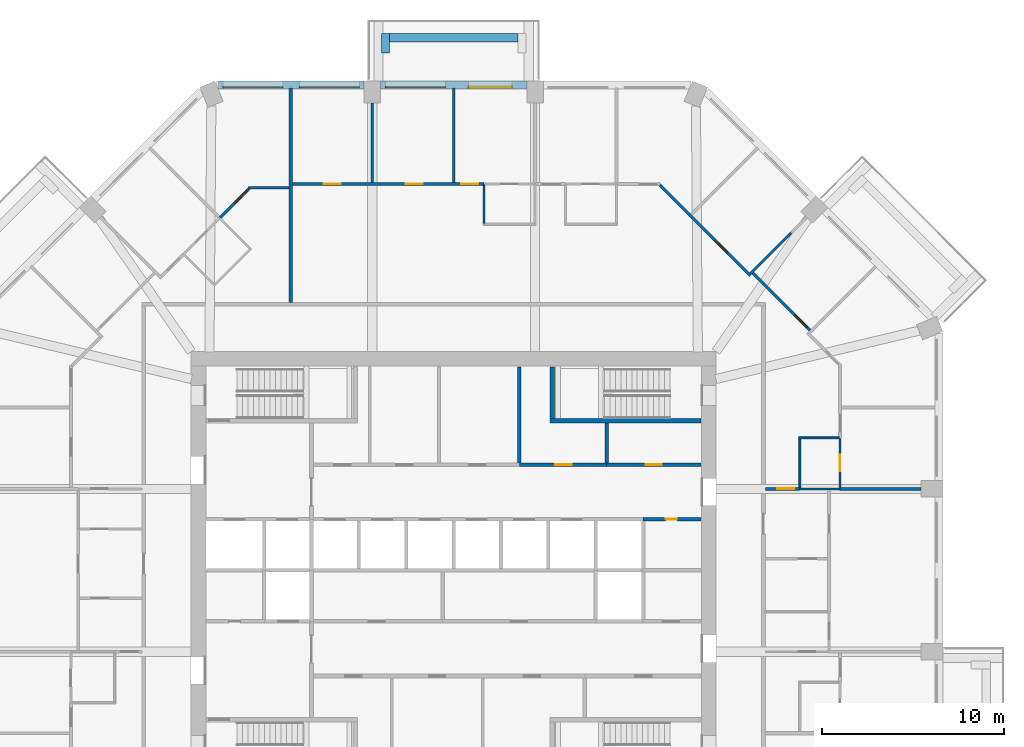
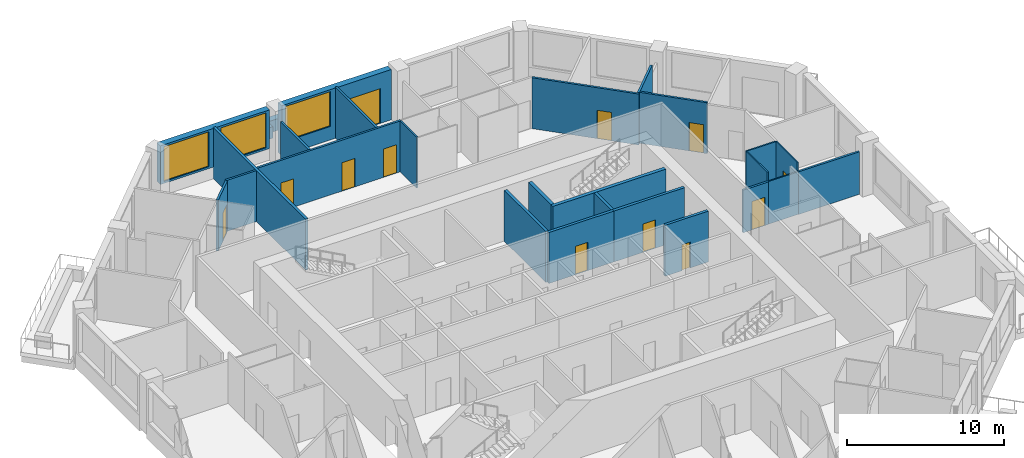
# One storey, part 9 of 12: 27 walls, 12 doors, 3 windows, 15 openings.
"""IFC4 building model written with IfcOpenShell, lengths in metres."""

from ifc_helpers import new_model, si_unit, direction, frame, frame_2d, origin, place, context, subcontext, project, spatial, rectangle, extrude, material, layer, layer_set, type_object, element, fill, save


model = new_model("IFC4")

# Units and contexts
model_context = context("Model", 3, precision=1e-05, world=origin(), true_north=direction((0.0, 1.0)))
body_context = subcontext(model_context, "Body", "Model", "MODEL_VIEW")
ifc_project = project(units=[si_unit("LENGTHUNIT", "METRE"), si_unit("AREAUNIT", "SQUARE_METRE"), si_unit("VOLUMEUNIT", "CUBIC_METRE"), si_unit("PLANEANGLEUNIT", "RADIAN"), si_unit("MASSUNIT", "GRAM", prefix="KILO")], contexts=[model_context])

# Site, building, storey
site_placement = place(None, origin())
site = spatial("IfcSite", under=ifc_project, at=site_placement, CompositionType="ELEMENT")
building_placement = place(site_placement, origin())
building = spatial("IfcBuilding", under=site, at=building_placement, Name="Msitu Wima Residences", CompositionType="ELEMENT")
storey_placement = place(building_placement, frame((0.0, 0.0, 127.5)))
storey = spatial("IfcBuildingStorey", under=building, at=storey_placement, Name="L29", CompositionType="ELEMENT", Elevation=127.5)

# Walls
ifc_material_1 = material(Name="Facing brick")
ifc_layer_1 = layer(ifc_material_1, 0.06494140625, Name="Facing brick")
ifc_material_2 = material(Name="Concrete C40/50", Category="concrete")
ifc_layer_2 = layer(ifc_material_2, 0.156005859375, Name="Concrete C40/50")
ifc_material_3 = material(Name="Waterproofing membrane")
ifc_layer_3 = layer(ifc_material_3, 0.00390625, Name="Waterproofing membrane")
ifc_material_4 = material(Name="Planting soil and planting")
ifc_layer_4 = layer(ifc_material_4, 0.22509765625, Name="Planting soil and planting")
ifc_layer_set_1 = layer_set([ifc_layer_1, ifc_layer_2, ifc_layer_3, ifc_layer_4], Name="Concrete C40/50")
wall_type_1 = type_object("IfcWallType", Name="Balcony planter PLANTER PL450", PredefinedType="USERDEFINED", material=ifc_layer_set_1)
wall_1_placement = place(storey_placement, frame((3.5185546875, 29.22509765625, 0.0), z_axis=(0.0, 0.0, 1.0), x_axis=(-1.0, 0.0, 0.0)))
element("IfcWall", 1, at=wall_1_placement, inside=storey, type_object=wall_type_1, Name="Balcony planter N1 L29", ObjectType="PLANTER", PredefinedType="USERDEFINED", context=body_context, shape_type="SweptSolid", body=[
    extrude(rectangle(XDim=7.037109375, YDim=0.449951171875, at=frame_2d((3.5185546875, 0.0))), origin(), (0.0, 0.0, 1.0), 0.89990234375),
])
wall_2_placement = place(storey_placement, frame((-3.74365234375, 28.39990234375, 0.0), z_axis=(0.0, 0.0, 1.0), x_axis=(0.0, 1.0, 0.0)))
element("IfcWall", 2, at=wall_2_placement, inside=storey, type_object=wall_type_1, Name="Balcony planter N1 L29", ObjectType="PLANTER", PredefinedType="USERDEFINED", context=body_context, shape_type="SweptSolid", body=[
    extrude(rectangle(XDim=1.050048828125, YDim=0.449951171875, at=frame_2d((0.52490234375, 0.0))), origin(), (0.0, 0.0, 1.0), 0.89990234375),
])

# Wall, openings, door, window
ifc_material_5 = material(Name="Brick (red buff mix)", Category="masonry")
ifc_layer_5 = layer(ifc_material_5, 0.449951171875)
ifc_layer_set_2 = layer_set([ifc_layer_5], Name="Brick (red buff mix)")
wall_type_2 = type_object("IfcWallType", Name="Brick infill wall BW450", PredefinedType="SOLIDWALL", material=ifc_layer_set_2)
wall_3_placement = place(storey_placement, frame((4.0185546875, 26.625, 0.0), z_axis=(0.0, 0.0, 1.0), x_axis=(-1.0, 0.0, 0.0)))
wall_3 = element("IfcWall", 3, at=wall_3_placement, inside=storey, type_object=wall_type_2, Name="Brick infill wall L29 N1", PredefinedType="SOLIDWALL", context=body_context, shape_type="SweptSolid", body=[
    extrude(rectangle(XDim=8.037109375, YDim=0.449951171875, at=frame_2d((4.0185546875, 0.0))), origin(), (0.0, 0.0, 1.0), 3.89990234375),
])
opening_1_placement = place(wall_3_placement, frame((0.809326171875, 0.0, 0.0)))
opening_1 = element("IfcOpeningElement", 4, at=opening_1_placement, cuts=wall_3, Name="Opening D27-29.002", PredefinedType="OPENING", context=body_context, shape_type="SweptSolid", body=[
    extrude(rectangle(XDim=2.39990234375, YDim=2.699951171875, at=frame_2d((1.199951171875, 1.35009765625))), frame((0.0, 0.23486328125, 0.0), z_axis=(0.0, -1.0, 0.0), x_axis=(1.0, 0.0, 0.0)), (0.0, 0.0, 1.0), 0.469970703125),
])
opening_2_placement = place(wall_3_placement, frame((4.46875, 0.0, 1.050048828125)))
opening_2 = element("IfcOpeningElement", 5, at=opening_2_placement, cuts=wall_3, Name="Opening W27-29.008", PredefinedType="OPENING", context=body_context, shape_type="SweptSolid", body=[
    extrude(rectangle(XDim=3.300048828125, YDim=2.699951171875, at=frame_2d((1.64990234375, 1.35009765625))), frame((0.0, 0.23486328125, 0.0), z_axis=(0.0, -1.0, 0.0), x_axis=(1.0, 0.0, 0.0)), (0.0, 0.0, 1.0), 0.469970703125),
])
ifc_material_6 = material(Name="Anodised aluminium, bronze finish, clear low-emissivity double glazing", Category="aluminium")
door_type_1 = type_object("IfcDoorType", Name="Balcony door D2400x2700", OperationType="SLIDING_TO_LEFT", PredefinedType="DOOR", material=ifc_material_6)
door_1_placement = place(opening_1_placement, origin())
door_1 = element("IfcDoor", 6, at=door_1_placement, inside=storey, type_object=door_type_1, Name="Balcony door L29 N1", OperationType="SINGLE_SWING_LEFT", OverallHeight=2.699951171875, OverallWidth=2.39990234375, PredefinedType="DOOR", context=body_context, shape_type="SweptSolid", body=[
    extrude(rectangle(XDim=2.39990234375, YDim=2.699951171875, at=frame_2d((1.199951171875, 1.35009765625))), frame((0.0, 0.1298828125, 0.0), z_axis=(0.0, -1.0, 0.0), x_axis=(1.0, 0.0, 0.0)), (0.0, 0.0, 1.0), 0.050048828125),
])
fill(opening_1, door_1)
window_type = type_object("IfcWindowType", Name="Window W3300x2700", PartitioningType="DOUBLE_PANEL_VERTICAL", PredefinedType="WINDOW", material=ifc_material_6)
window_1_placement = place(opening_2_placement, origin())
window_1 = element("IfcWindow", 7, at=window_1_placement, inside=storey, type_object=window_type, Name="Window L29 N1.2", OverallHeight=2.699951171875, OverallWidth=3.300048828125, PartitioningType="SINGLE_PANEL", PredefinedType="WINDOW", context=body_context, shape_type="SweptSolid", body=[
    extrude(rectangle(XDim=3.300048828125, YDim=2.699951171875, at=frame_2d((1.64990234375, 1.35009765625))), frame((0.0, 0.135009765625, 0.0), z_axis=(0.0, -1.0, 0.0), x_axis=(1.0, 0.0, 0.0)), (0.0, 0.0, 1.0), 0.06005859375),
])
fill(opening_2, window_1)

# Wall, openings, windows
wall_4_placement = place(storey_placement, frame((-4.918701171875, 26.625, 0.89990234375), z_axis=(0.0, 0.0, 1.0), x_axis=(-1.0, 0.0, 0.0)))
wall_4 = element("IfcWall", 8, at=wall_4_placement, inside=storey, type_object=wall_type_2, Name="Brick infill wall L29 N2", PredefinedType="SOLIDWALL", context=body_context, shape_type="SweptSolid", body=[
    extrude(rectangle(XDim=8.0, YDim=0.449951171875, at=frame_2d((4.0, 0.0))), origin(), (0.0, 0.0, 1.0), 3.0),
])
opening_3_placement = place(wall_4_placement, frame((0.25, 0.0, 0.14990234375)))
opening_3 = element("IfcOpeningElement", 9, at=opening_3_placement, cuts=wall_4, Name="Opening W27-29.009", PredefinedType="OPENING", context=body_context, shape_type="SweptSolid", body=[
    extrude(rectangle(XDim=3.300048828125, YDim=2.699951171875, at=frame_2d((1.64990234375, 1.35009765625))), frame((0.0, 0.23486328125, 0.0), z_axis=(0.0, -1.0, 0.0), x_axis=(1.0, 0.0, 0.0)), (0.0, 0.0, 1.0), 0.469970703125),
])
opening_4_placement = place(wall_4_placement, frame((4.4501953125, 0.0, 0.14990234375)))
opening_4 = element("IfcOpeningElement", 10, at=opening_4_placement, cuts=wall_4, Name="Opening W27-29.010", PredefinedType="OPENING", context=body_context, shape_type="SweptSolid", body=[
    extrude(rectangle(XDim=3.300048828125, YDim=2.699951171875, at=frame_2d((1.64990234375, 1.35009765625))), frame((0.0, 0.23486328125, 0.0), z_axis=(0.0, -1.0, 0.0), x_axis=(1.0, 0.0, 0.0)), (0.0, 0.0, 1.0), 0.469970703125),
])
window_2_placement = place(opening_3_placement, origin())
window_2 = element("IfcWindow", 11, at=window_2_placement, inside=storey, type_object=window_type, Name="Window L29 N2.1", OverallHeight=2.699951171875, OverallWidth=3.300048828125, PartitioningType="SINGLE_PANEL", PredefinedType="WINDOW", context=body_context, shape_type="SweptSolid", body=[
    extrude(rectangle(XDim=3.300048828125, YDim=2.699951171875, at=frame_2d((1.64990234375, 1.35009765625))), frame((0.0, 0.135009765625, 0.0), z_axis=(0.0, -1.0, 0.0), x_axis=(1.0, 0.0, 0.0)), (0.0, 0.0, 1.0), 0.06005859375),
])
fill(opening_3, window_2)
window_3_placement = place(opening_4_placement, origin())
window_3 = element("IfcWindow", 12, at=window_3_placement, inside=storey, type_object=window_type, Name="Window L29 N2.2", OverallHeight=2.699951171875, OverallWidth=3.300048828125, PartitioningType="SINGLE_PANEL", PredefinedType="WINDOW", context=body_context, shape_type="SweptSolid", body=[
    extrude(rectangle(XDim=3.300048828125, YDim=2.699951171875, at=frame_2d((1.64990234375, 1.35009765625))), frame((0.0, 0.135009765625, 0.0), z_axis=(0.0, -1.0, 0.0), x_axis=(1.0, 0.0, 0.0)), (0.0, 0.0, 1.0), 0.06005859375),
])
fill(opening_4, window_3)

# Wall, opening, door
ifc_material_7 = material(Name="Plaster")
ifc_layer_6 = layer(ifc_material_7, 0.011962890625, Name="Plaster")
ifc_material_8 = material(Name="Concrete blockwork", Category="masonry")
ifc_layer_7 = layer(ifc_material_8, 0.176025390625, Name="Concrete blockwork")
ifc_layer_8 = layer(ifc_material_7, 0.011962890625, Name="Plaster")
ifc_layer_set_3 = layer_set([ifc_layer_6, ifc_layer_7, ifc_layer_8], Name="Concrete blockwork")
wall_type_3 = type_object("IfcWallType", Name="Corridor wall FW200", PredefinedType="PARTITIONING", material=ifc_layer_set_3)
wall_5_placement = place(storey_placement, frame((8.3798828125, 5.800048828125, 0.0), z_axis=(0.0, 0.0, 1.0), x_axis=(1.0, 0.0, 0.0)))
wall_5 = element("IfcWall", 13, at=wall_5_placement, inside=storey, type_object=wall_type_3, Name="Corridor wall", PredefinedType="PARTITIONING", context=body_context, shape_type="SweptSolid", body=[
    extrude(rectangle(XDim=5.190185546875, YDim=0.199951171875, at=frame_2d((2.59521484375, 0.0))), origin(), (0.0, 0.0, 1.0), 3.949951171875),
])
opening_5_placement = place(wall_5_placement, frame((2.14990234375, 0.0, 0.0)))
opening_5 = element("IfcOpeningElement", 14, at=opening_5_placement, cuts=wall_5, Name="Opening D27-29.020", PredefinedType="OPENING", context=body_context, shape_type="SweptSolid", body=[
    extrude(rectangle(XDim=0.89990234375, YDim=2.199951171875, at=frame_2d((0.449951171875, 1.10009765625))), frame((0.0, 0.10986328125, 0.0), z_axis=(0.0, -1.0, 0.0), x_axis=(1.0, 0.0, 0.0)), (0.0, 0.0, 1.0), 0.219970703125),
])
ifc_material_9 = material(Name="Timber flush door", Category="wood")
door_type_2 = type_object("IfcDoorType", Name="Service door D05 900x2200", OperationType="SINGLE_SWING_LEFT", PredefinedType="DOOR", material=ifc_material_9)
door_2_placement = place(opening_5_placement, origin())
door_2 = element("IfcDoor", 15, at=door_2_placement, inside=storey, type_object=door_type_2, Name="Service door", OperationType="SINGLE_SWING_LEFT", OverallHeight=2.199951171875, OverallWidth=0.89990234375, PredefinedType="DOOR", context=body_context, shape_type="SweptSolid", body=[
    extrude(rectangle(XDim=0.89990234375, YDim=2.199951171875, at=frame_2d((0.449951171875, 1.10009765625))), frame((0.0, 0.02490234375, 0.0), z_axis=(0.0, -1.0, 0.0), x_axis=(1.0, 0.0, 0.0)), (0.0, 0.0, 1.0), 0.050048828125),
])
fill(opening_5, door_2)

ifc_layer_9 = layer(ifc_material_7, 0.011962890625, Name="Plaster")
ifc_layer_10 = layer(ifc_material_8, 0.1259765625, Name="Concrete blockwork")
ifc_layer_11 = layer(ifc_material_7, 0.011962890625, Name="Plaster")
ifc_layer_set_4 = layer_set([ifc_layer_9, ifc_layer_10, ifc_layer_11], Name="Concrete blockwork")
wall_type_4 = type_object("IfcWallType", Name="Partition PW150", PredefinedType="PARTITIONING", material=ifc_layer_set_4)
wall_6_placement = place(storey_placement, frame((-12.82177734375, 19.34716796875, 0.0), z_axis=(0.0, 0.0, 1.0), x_axis=(0.707052822105, 0.70716073615, 0.0)))
wall_6 = element("IfcWall", 16, at=wall_6_placement, inside=storey, type_object=wall_type_4, Name="Partition", PredefinedType="PARTITIONING", context=body_context, shape_type="SweptSolid", body=[
    extrude(rectangle(XDim=2.262451171875, YDim=0.14990234375, at=frame_2d((1.13134765625, 0.0))), origin(), (0.0, 0.0, 1.0), 3.949951171875),
])
opening_6_placement = place(wall_6_placement, frame((1.14990234375, 0.0, 0.0)))
opening_6 = element("IfcOpeningElement", 17, at=opening_6_placement, cuts=wall_6, Name="Opening D27-29.057", PredefinedType="OPENING", context=body_context, shape_type="SweptSolid", body=[
    extrude(rectangle(XDim=0.949951171875, YDim=2.199951171875, at=frame_2d((0.47509765625, 1.10009765625))), frame((0.0, 0.0849609375, 0.0), z_axis=(0.0, -1.0, 0.0), x_axis=(1.0, 0.0, 0.0)), (0.0, 0.0, 1.0), 0.169921875),
])
door_type_3 = type_object("IfcDoorType", Name="Room door D12 950x2200", OperationType="SINGLE_SWING_LEFT", PredefinedType="DOOR", material=ifc_material_9)
door_3_placement = place(opening_6_placement, origin())
door_3 = element("IfcDoor", 18, at=door_3_placement, inside=storey, type_object=door_type_3, Name="Room door", OperationType="SINGLE_SWING_LEFT", OverallHeight=2.199951171875, OverallWidth=0.949951171875, PredefinedType="DOOR", context=body_context, shape_type="SweptSolid", body=[
    extrude(rectangle(XDim=0.949951171875, YDim=2.199951171875, at=frame_2d((0.47509765625, 1.10009765625))), frame((0.0, 0.02490234375, 0.0), z_axis=(0.0, -1.0, 0.0), x_axis=(1.0, 0.0, 0.0)), (0.0, 0.0, 1.0), 0.050048828125),
])
fill(opening_6, door_3)

# Wall
wall_7_placement = place(storey_placement, frame((-11.244140625, 21.0, 0.0), z_axis=(0.0, 0.0, 1.0), x_axis=(1.0, 0.0, 0.0)))
element("IfcWall", 19, at=wall_7_placement, inside=storey, type_object=wall_type_4, Name="Partition", PredefinedType="PARTITIONING", context=body_context, shape_type="SweptSolid", body=[
    extrude(rectangle(XDim=2.206787109375, YDim=0.14990234375, at=frame_2d((1.103515625, 0.0))), origin(), (0.0, 0.0, 1.0), 3.949951171875),
])

# Wall, openings, doors
wall_8_placement = place(storey_placement, frame((-8.837158203125, 21.199951171875, 0.0), z_axis=(0.0, 0.0, 1.0), x_axis=(1.0, 0.0, 0.0)))
wall_8 = element("IfcWall", 20, at=wall_8_placement, inside=storey, type_object=wall_type_4, Name="Partition", PredefinedType="PARTITIONING", context=body_context, shape_type="SweptSolid", body=[
    extrude(rectangle(XDim=10.505859375, YDim=0.14990234375, at=frame_2d((5.2529296875, 0.0))), origin(), (0.0, 0.0, 1.0), 3.949951171875),
])
opening_7_placement = place(wall_8_placement, frame((1.699951171875, 0.0, 0.0)))
opening_7 = element("IfcOpeningElement", 21, at=opening_7_placement, cuts=wall_8, Name="Opening D27-29.070", PredefinedType="OPENING", context=body_context, shape_type="SweptSolid", body=[
    extrude(rectangle(XDim=0.949951171875, YDim=2.199951171875, at=frame_2d((0.47509765625, 1.10009765625))), frame((0.0, 0.0849609375, 0.0), z_axis=(0.0, -1.0, 0.0), x_axis=(1.0, 0.0, 0.0)), (0.0, 0.0, 1.0), 0.169921875),
])
opening_8_placement = place(wall_8_placement, frame((9.25, 0.0, 0.0)))
opening_8 = element("IfcOpeningElement", 22, at=opening_8_placement, cuts=wall_8, Name="Opening D27-29.086", PredefinedType="OPENING", context=body_context, shape_type="SweptSolid", body=[
    extrude(rectangle(XDim=0.949951171875, YDim=2.199951171875, at=frame_2d((0.47509765625, 1.10009765625))), frame((0.0, 0.0849609375, 0.0), z_axis=(0.0, -1.0, 0.0), x_axis=(1.0, 0.0, 0.0)), (0.0, 0.0, 1.0), 0.169921875),
])
opening_9_placement = place(wall_8_placement, frame((6.199951171875, 0.0, 0.0)))
opening_9 = element("IfcOpeningElement", 23, at=opening_9_placement, cuts=wall_8, Name="Opening D27-29.041", PredefinedType="OPENING", context=body_context, shape_type="SweptSolid", body=[
    extrude(rectangle(XDim=0.949951171875, YDim=2.199951171875, at=frame_2d((0.47509765625, 1.10009765625))), frame((0.0, 0.0849609375, 0.0), z_axis=(0.0, -1.0, 0.0), x_axis=(1.0, 0.0, 0.0)), (0.0, 0.0, 1.0), 0.169921875),
])
door_4_placement = place(opening_7_placement, origin())
door_4 = element("IfcDoor", 24, at=door_4_placement, inside=storey, type_object=door_type_3, Name="Room door", OperationType="SINGLE_SWING_RIGHT", OverallHeight=2.199951171875, OverallWidth=0.949951171875, PredefinedType="DOOR", context=body_context, shape_type="SweptSolid", body=[
    extrude(rectangle(XDim=0.949951171875, YDim=2.199951171875, at=frame_2d((0.47509765625, 1.10009765625))), frame((0.0, 0.02490234375, 0.0), z_axis=(0.0, -1.0, 0.0), x_axis=(1.0, 0.0, 0.0)), (0.0, 0.0, 1.0), 0.050048828125),
])
fill(opening_7, door_4)
door_5_placement = place(opening_8_placement, origin())
door_5 = element("IfcDoor", 25, at=door_5_placement, inside=storey, type_object=door_type_3, Name="Room door", OperationType="SINGLE_SWING_LEFT", OverallHeight=2.199951171875, OverallWidth=0.949951171875, PredefinedType="DOOR", context=body_context, shape_type="SweptSolid", body=[
    extrude(rectangle(XDim=0.949951171875, YDim=2.199951171875, at=frame_2d((0.47509765625, 1.10009765625))), frame((0.0, 0.02490234375, 0.0), z_axis=(0.0, -1.0, 0.0), x_axis=(1.0, 0.0, 0.0)), (0.0, 0.0, 1.0), 0.050048828125),
])
fill(opening_8, door_5)
door_6_placement = place(opening_9_placement, origin())
door_6 = element("IfcDoor", 26, at=door_6_placement, inside=storey, type_object=door_type_3, Name="Room door", OperationType="SINGLE_SWING_RIGHT", OverallHeight=2.199951171875, OverallWidth=0.949951171875, PredefinedType="DOOR", context=body_context, shape_type="SweptSolid", body=[
    extrude(rectangle(XDim=0.949951171875, YDim=2.199951171875, at=frame_2d((0.47509765625, 1.10009765625))), frame((0.0, 0.02490234375, 0.0), z_axis=(0.0, -1.0, 0.0), x_axis=(1.0, 0.0, 0.0)), (0.0, 0.0, 1.0), 0.050048828125),
])
fill(opening_9, door_6)

# Walls
wall_9_placement = place(storey_placement, frame((-4.46875, 21.27490234375, 0.0), z_axis=(0.0, 0.0, 1.0), x_axis=(0.0, 1.0, 0.0)))
element("IfcWall", 27, at=wall_9_placement, inside=storey, type_object=wall_type_4, Name="Partition", PredefinedType="PARTITIONING", context=body_context, shape_type="SweptSolid", body=[
    extrude(rectangle(XDim=4.375, YDim=0.14990234375, at=frame_2d((2.1875, 0.0))), origin(), (0.0, 0.0, 1.0), 3.300048828125),
])
wall_10_placement = place(storey_placement, frame((0.0, 21.27490234375, 0.0), z_axis=(0.0, 0.0, 1.0), x_axis=(0.0, 1.0, 0.0)))
element("IfcWall", 28, at=wall_10_placement, inside=storey, type_object=wall_type_4, Name="Partition", PredefinedType="PARTITIONING", context=body_context, shape_type="SweptSolid", body=[
    extrude(rectangle(XDim=5.18017578125, YDim=0.14990234375, at=frame_2d((2.590087890625, 0.0))), origin(), (0.0, 0.0, 1.0), 3.949951171875),
])

# Wall, opening, door
wall_11_placement = place(storey_placement, frame((11.304931640625, 21.14697265625, 0.0), z_axis=(0.0, 0.0, 1.0), x_axis=(0.707106781187, -0.707106781187, 0.0)))
wall_11 = element("IfcWall", 29, at=wall_11_placement, inside=storey, type_object=wall_type_4, Name="Partition", PredefinedType="PARTITIONING", context=body_context, shape_type="SweptSolid", body=[
    extrude(rectangle(XDim=7.034423828125, YDim=0.14990234375, at=frame_2d((3.51708984375, 0.0))), origin(), (0.0, 0.0, 1.0), 3.949951171875),
])
opening_10_placement = place(wall_11_placement, frame((4.300048828125, 0.0, 0.0)))
opening_10 = element("IfcOpeningElement", 30, at=opening_10_placement, cuts=wall_11, Name="Opening D27-29.059", PredefinedType="OPENING", context=body_context, shape_type="SweptSolid", body=[
    extrude(rectangle(XDim=0.949951171875, YDim=2.199951171875, at=frame_2d((0.47509765625, 1.10009765625))), frame((0.0, 0.0849609375, 0.0), z_axis=(0.0, -1.0, 0.0), x_axis=(1.0, 0.0, 0.0)), (0.0, 0.0, 1.0), 0.169921875),
])
door_7_placement = place(opening_10_placement, origin())
door_7 = element("IfcDoor", 31, at=door_7_placement, inside=storey, type_object=door_type_3, Name="Room door", OperationType="SINGLE_SWING_RIGHT", OverallHeight=2.199951171875, OverallWidth=0.949951171875, PredefinedType="DOOR", context=body_context, shape_type="SweptSolid", body=[
    extrude(rectangle(XDim=0.949951171875, YDim=2.199951171875, at=frame_2d((0.47509765625, 1.10009765625))), frame((0.0, 0.02490234375, 0.0), z_axis=(0.0, -1.0, 0.0), x_axis=(1.0, 0.0, 0.0)), (0.0, 0.0, 1.0), 0.050048828125),
])
fill(opening_10, door_7)

# Wall
wall_12_placement = place(storey_placement, frame((16.279052734375, 16.279052734375, 0.0), z_axis=(0.0, 0.0, 1.0), x_axis=(0.707106781187, 0.707106781187, 0.0)))
element("IfcWall", 32, at=wall_12_placement, inside=storey, type_object=wall_type_4, Name="Partition", PredefinedType="PARTITIONING", context=body_context, shape_type="SweptSolid", body=[
    extrude(rectangle(XDim=3.165771484375, YDim=0.14990234375, at=frame_2d((1.5830078125, 0.0))), origin(), (0.0, 0.0, 1.0), 3.949951171875),
])

# Wall, opening, door
wall_13_placement = place(storey_placement, frame((16.42041015625, 16.314453125, 0.0), z_axis=(0.0, 0.0, 1.0), x_axis=(0.707106781187, -0.707106781187, 0.0)))
wall_13 = element("IfcWall", 33, at=wall_13_placement, inside=storey, type_object=wall_type_4, Name="Partition", PredefinedType="PARTITIONING", context=body_context, shape_type="SweptSolid", body=[
    extrude(rectangle(XDim=4.4443359375, YDim=0.14990234375, at=frame_2d((2.22216796875, 0.0))), origin(), (0.0, 0.0, 1.0), 3.949951171875),
])
opening_11_placement = place(wall_13_placement, frame((3.25, 0.0, 0.0)))
opening_11 = element("IfcOpeningElement", 34, at=opening_11_placement, cuts=wall_13, Name="Opening D27-29.039", PredefinedType="OPENING", context=body_context, shape_type="SweptSolid", body=[
    extrude(rectangle(XDim=0.949951171875, YDim=2.199951171875, at=frame_2d((0.47509765625, 1.10009765625))), frame((0.0, 0.0849609375, 0.0), z_axis=(0.0, -1.0, 0.0), x_axis=(1.0, 0.0, 0.0)), (0.0, 0.0, 1.0), 0.169921875),
])
door_8_placement = place(opening_11_placement, origin())
door_8 = element("IfcDoor", 35, at=door_8_placement, inside=storey, type_object=door_type_3, Name="Room door", OperationType="SINGLE_SWING_RIGHT", OverallHeight=2.199951171875, OverallWidth=0.949951171875, PredefinedType="DOOR", context=body_context, shape_type="SweptSolid", body=[
    extrude(rectangle(XDim=0.949951171875, YDim=2.199951171875, at=frame_2d((0.47509765625, 1.10009765625))), frame((0.0, 0.02490234375, 0.0), z_axis=(0.0, -1.0, 0.0), x_axis=(1.0, 0.0, 0.0)), (0.0, 0.0, 1.0), 0.050048828125),
])
fill(opening_11, door_8)

wall_14_placement = place(storey_placement, frame((17.10009765625, 4.46875, 0.0), z_axis=(0.0, 0.0, 1.0), x_axis=(1.0, 0.0, 0.0)))
wall_14 = element("IfcWall", 36, at=wall_14_placement, inside=storey, type_object=wall_type_4, Name="Partition", PredefinedType="PARTITIONING", context=body_context, shape_type="SweptSolid", body=[
    extrude(rectangle(XDim=1.8798828125, YDim=0.14990234375, at=frame_2d((0.93994140625, 0.0))), origin(), (0.0, 0.0, 1.0), 3.300048828125),
])
opening_12_placement = place(wall_14_placement, frame((0.64990234375, 0.0, 0.0)))
opening_12 = element("IfcOpeningElement", 37, at=opening_12_placement, cuts=wall_14, Name="Opening D27-29.048", PredefinedType="OPENING", context=body_context, shape_type="SweptSolid", body=[
    extrude(rectangle(XDim=0.949951171875, YDim=2.199951171875, at=frame_2d((0.47509765625, 1.10009765625))), frame((0.0, 0.0849609375, 0.0), z_axis=(0.0, -1.0, 0.0), x_axis=(1.0, 0.0, 0.0)), (0.0, 0.0, 1.0), 0.169921875),
])
door_9_placement = place(opening_12_placement, origin())
door_9 = element("IfcDoor", 38, at=door_9_placement, inside=storey, type_object=door_type_3, Name="Room door", OperationType="SINGLE_SWING_RIGHT", OverallHeight=2.199951171875, OverallWidth=0.949951171875, PredefinedType="DOOR", context=body_context, shape_type="SweptSolid", body=[
    extrude(rectangle(XDim=0.949951171875, YDim=2.199951171875, at=frame_2d((0.47509765625, 1.10009765625))), frame((0.0, 0.02490234375, 0.0), z_axis=(0.0, -1.0, 0.0), x_axis=(1.0, 0.0, 0.0)), (0.0, 0.0, 1.0), 0.050048828125),
])
fill(opening_12, door_9)

# Walls
wall_15_placement = place(storey_placement, frame((21.179931640625, 4.46875, 0.0), z_axis=(0.0, 0.0, 1.0), x_axis=(1.0, 0.0, 0.0)))
element("IfcWall", 39, at=wall_15_placement, inside=storey, type_object=wall_type_4, Name="Partition", PredefinedType="PARTITIONING", context=body_context, shape_type="SweptSolid", body=[
    extrude(rectangle(XDim=4.469970703125, YDim=0.14990234375, at=frame_2d((2.23486328125, 0.0))), origin(), (0.0, 0.0, 1.0), 3.300048828125),
])
ifc_layer_12 = layer(ifc_material_7, 0.011962890625, Name="Plaster")
ifc_material_10 = material(Name="Dense concrete blockwork", Category="masonry")
ifc_layer_13 = layer(ifc_material_10, 0.176025390625, Name="Dense concrete blockwork")
ifc_layer_14 = layer(ifc_material_7, 0.011962890625, Name="Plaster")
ifc_layer_set_5 = layer_set([ifc_layer_12, ifc_layer_13, ifc_layer_14], Name="Dense concrete blockwork")
wall_type_5 = type_object("IfcWallType", Name="Party wall PW200", PredefinedType="PARTITIONING", material=ifc_layer_set_5)
wall_16_placement = place(storey_placement, frame((-8.937255859375, 14.699951171875, 0.0), z_axis=(0.0, 0.0, 1.0), x_axis=(0.0, 1.0, 0.0)))
element("IfcWall", 40, at=wall_16_placement, inside=storey, type_object=wall_type_5, Name="Party wall", PredefinedType="PARTITIONING", context=body_context, shape_type="SweptSolid", body=[
    extrude(rectangle(XDim=11.755126953125, YDim=0.199951171875, at=frame_2d((5.87744140625, 0.0))), origin(), (0.0, 0.0, 1.0), 3.949951171875),
])

# Wall, opening, door
ifc_layer_15 = layer(ifc_material_7, 0.011962890625, Name="Plaster")
ifc_material_11 = material(Name="Reinforced concrete blockwork", Category="masonry")
ifc_layer_16 = layer(ifc_material_11, 0.176025390625, Name="Reinforced concrete blockwork")
ifc_layer_17 = layer(ifc_material_7, 0.011962890625, Name="Plaster")
ifc_layer_set_6 = layer_set([ifc_layer_15, ifc_layer_16, ifc_layer_17], Name="Reinforced concrete blockwork")
wall_type_6 = type_object("IfcWallType", Name="Plant and riser wall PL200", PredefinedType="PARTITIONING", material=ifc_layer_set_6)
wall_17_placement = place(storey_placement, frame((3.6201171875, 5.800048828125, 0.0), z_axis=(0.0, 0.0, 1.0), x_axis=(1.0, 0.0, 0.0)))
wall_17 = element("IfcWall", 41, at=wall_17_placement, inside=storey, type_object=wall_type_6, Name="Plant and riser wall", PredefinedType="PARTITIONING", context=body_context, shape_type="SweptSolid", body=[
    extrude(rectangle(XDim=4.759765625, YDim=0.199951171875, at=frame_2d((2.3798828125, 0.0))), origin(), (0.0, 0.0, 1.0), 3.949951171875),
])
opening_13_placement = place(wall_17_placement, frame((1.949951171875, 0.0, 0.0)))
opening_13 = element("IfcOpeningElement", 42, at=opening_13_placement, cuts=wall_17, Name="Opening D27-29.019", PredefinedType="OPENING", context=body_context, shape_type="SweptSolid", body=[
    extrude(rectangle(XDim=0.89990234375, YDim=2.199951171875, at=frame_2d((0.449951171875, 1.10009765625))), frame((0.0, 0.10986328125, 0.0), z_axis=(0.0, -1.0, 0.0), x_axis=(1.0, 0.0, 0.0)), (0.0, 0.0, 1.0), 0.219970703125),
])
door_10_placement = place(opening_13_placement, origin())
door_10 = element("IfcDoor", 43, at=door_10_placement, inside=storey, type_object=door_type_2, Name="Service door", OperationType="SINGLE_SWING_RIGHT", OverallHeight=2.199951171875, OverallWidth=0.89990234375, PredefinedType="DOOR", context=body_context, shape_type="SweptSolid", body=[
    extrude(rectangle(XDim=0.89990234375, YDim=2.199951171875, at=frame_2d((0.449951171875, 1.10009765625))), frame((0.0, 0.02490234375, 0.0), z_axis=(0.0, -1.0, 0.0), x_axis=(1.0, 0.0, 0.0)), (0.0, 0.0, 1.0), 0.050048828125),
])
fill(opening_13, door_10)

# Walls
wall_18_placement = place(storey_placement, frame((3.60009765625, 5.89990234375, 0.0), z_axis=(0.0, 0.0, 1.0), x_axis=(0.0, 1.0, 0.0)))
element("IfcWall", 44, at=wall_18_placement, inside=storey, type_object=wall_type_6, Name="Plant and riser wall", PredefinedType="PARTITIONING", context=body_context, shape_type="SweptSolid", body=[
    extrude(rectangle(XDim=5.27001953125, YDim=0.199951171875, at=frame_2d((2.635009765625, 0.0))), origin(), (0.0, 0.0, 1.0), 3.949951171875),
])
wall_19_placement = place(storey_placement, frame((8.39990234375, 5.89990234375, 0.0), z_axis=(0.0, 0.0, 1.0), x_axis=(0.0, 1.0, 0.0)))
element("IfcWall", 45, at=wall_19_placement, inside=storey, type_object=wall_type_6, Name="Plant and riser wall", PredefinedType="PARTITIONING", context=body_context, shape_type="SweptSolid", body=[
    extrude(rectangle(XDim=2.175048828125, YDim=0.199951171875, at=frame_2d((1.08740234375, 0.0))), origin(), (0.0, 0.0, 1.0), 3.949951171875),
])

# Wall, opening, door
wall_20_placement = place(storey_placement, frame((10.39990234375, 2.800048828125, 0.0), z_axis=(0.0, 0.0, 1.0), x_axis=(1.0, 0.0, 0.0)))
wall_20 = element("IfcWall", 46, at=wall_20_placement, inside=storey, type_object=wall_type_6, Name="Plant and riser wall", PredefinedType="PARTITIONING", context=body_context, shape_type="SweptSolid", body=[
    extrude(rectangle(XDim=3.170166015625, YDim=0.199951171875, at=frame_2d((1.5849609375, 0.0))), origin(), (0.0, 0.0, 1.0), 3.949951171875),
])
opening_14_placement = place(wall_20_placement, frame((1.25, 0.0, 0.0)))
opening_14 = element("IfcOpeningElement", 47, at=opening_14_placement, cuts=wall_20, Name="Opening D27-29.027", PredefinedType="OPENING", context=body_context, shape_type="SweptSolid", body=[
    extrude(rectangle(XDim=0.60009765625, YDim=2.0, at=frame_2d((0.300048828125, 1.0))), frame((0.0, 0.10986328125, 0.0), z_axis=(0.0, -1.0, 0.0), x_axis=(1.0, 0.0, 0.0)), (0.0, 0.0, 1.0), 0.219970703125),
])
ifc_material_12 = material(Name="Steel access door, fire resisting", Category="steel")
door_type_4 = type_object("IfcDoorType", Name="Riser access door D08 600x2000", OperationType="SINGLE_SWING_LEFT", PredefinedType="DOOR", material=ifc_material_12)
door_11_placement = place(opening_14_placement, origin())
door_11 = element("IfcDoor", 48, at=door_11_placement, inside=storey, type_object=door_type_4, Name="Riser access door", OperationType="SINGLE_SWING_RIGHT", OverallHeight=2.0, OverallWidth=0.60009765625, PredefinedType="DOOR", context=body_context, shape_type="SweptSolid", body=[
    extrude(rectangle(XDim=0.60009765625, YDim=2.0, at=frame_2d((0.300048828125, 1.0))), frame((0.0, 0.02490234375, 0.0), z_axis=(0.0, -1.0, 0.0), x_axis=(1.0, 0.0, 0.0)), (0.0, 0.0, 1.0), 0.050048828125),
])
fill(opening_14, door_11)

# Walls
ifc_material_13 = material(Name="Concrete C50/60", Category="concrete")
ifc_layer_18 = layer(ifc_material_13, 0.25)
ifc_layer_set_7 = layer_set([ifc_layer_18], Name="Concrete C50/60")
wall_type_7 = type_object("IfcWallType", Name="Stair enclosure wall SW250", PredefinedType="SHEAR", material=ifc_layer_set_7)
wall_21_placement = place(storey_placement, frame((5.39990234375, 8.324951171875, 0.0), z_axis=(0.0, 0.0, 1.0), x_axis=(0.0, 1.0, 0.0)))
element("IfcWall", 49, at=wall_21_placement, inside=storey, type_object=wall_type_7, Name="Stair enclosure wall", PredefinedType="SHEAR", context=body_context, shape_type="SweptSolid", body=[
    extrude(rectangle(XDim=2.844970703125, YDim=0.25, at=frame_2d((1.42236328125, 0.0))), origin(), (0.0, 0.0, 1.0), 3.949951171875),
])
wall_22_placement = place(storey_placement, frame((5.27490234375, 8.199951171875, 0.0), z_axis=(0.0, 0.0, 1.0), x_axis=(1.0, 0.0, 0.0)))
element("IfcWall", 50, at=wall_22_placement, inside=storey, type_object=wall_type_7, Name="Stair enclosure wall", PredefinedType="SHEAR", context=body_context, shape_type="SweptSolid", body=[
    extrude(rectangle(XDim=8.295166015625, YDim=0.25, at=frame_2d((4.1474609375, 0.0))), origin(), (0.0, 0.0, 1.0), 3.949951171875),
])
ifc_material_14 = material(Name="Ceramic tiles")
ifc_layer_19 = layer(ifc_material_14, 0.008056640625, Name="Ceramic tiles")
ifc_material_15 = material(Name="Moisture-resistant board")
ifc_layer_20 = layer(ifc_material_15, 0.012451171875, Name="Moisture-resistant board")
ifc_material_16 = material(Name="Light-gauge stud framing with mineral wool")
ifc_layer_21 = layer(ifc_material_16, 0.06689453125, Name="Light-gauge stud framing with mineral wool")
ifc_layer_22 = layer(ifc_material_15, 0.012451171875, Name="Moisture-resistant board")
ifc_layer_set_8 = layer_set([ifc_layer_19, ifc_layer_20, ifc_layer_21, ifc_layer_22], Name="Light-gauge stud framing with mineral wool")
wall_type_8 = type_object("IfcWallType", Name="Wet wall PW100", PredefinedType="PARTITIONING", material=ifc_layer_set_8)
wall_23_placement = place(storey_placement, frame((1.668701171875, 19.050048828125, 0.0), z_axis=(0.0, 0.0, 1.0), x_axis=(0.0, 1.0, 0.0)))
element("IfcWall", 51, at=wall_23_placement, inside=storey, type_object=wall_type_8, Name="Wet wall", PredefinedType="PARTITIONING", context=body_context, shape_type="SweptSolid", body=[
    extrude(rectangle(XDim=2.099853515625, YDim=0.10009765625, at=frame_2d((1.0498046875, 0.0))), origin(), (0.0, 0.0, 1.0), 3.949951171875),
])
wall_24_placement = place(storey_placement, frame((18.97998046875, 4.46875, 0.0), z_axis=(0.0, 0.0, 1.0), x_axis=(1.0, 0.0, 0.0)))
element("IfcWall", 52, at=wall_24_placement, inside=storey, type_object=wall_type_8, Name="Wet wall", PredefinedType="PARTITIONING", context=body_context, shape_type="SweptSolid", body=[
    extrude(rectangle(XDim=2.199951171875, YDim=0.10009765625, at=frame_2d((1.10009765625, 0.0))), origin(), (0.0, 0.0, 1.0), 3.300048828125),
])
wall_25_placement = place(storey_placement, frame((19.0, 4.543701171875, 0.0), z_axis=(0.0, 0.0, 1.0), x_axis=(0.0, 1.0, 0.0)))
element("IfcWall", 53, at=wall_25_placement, inside=storey, type_object=wall_type_8, Name="Wet wall", PredefinedType="PARTITIONING", context=body_context, shape_type="SweptSolid", body=[
    extrude(rectangle(XDim=2.675048828125, YDim=0.10009765625, at=frame_2d((1.33740234375, 0.0))), origin(), (0.0, 0.0, 1.0), 3.949951171875),
])
wall_26_placement = place(storey_placement, frame((18.949951171875, 7.2685546875, 0.0), z_axis=(0.0, 0.0, 1.0), x_axis=(1.0, 0.0, 0.0)))
element("IfcWall", 54, at=wall_26_placement, inside=storey, type_object=wall_type_8, Name="Wet wall", PredefinedType="PARTITIONING", context=body_context, shape_type="SweptSolid", body=[
    extrude(rectangle(XDim=2.199951171875, YDim=0.10009765625, at=frame_2d((1.10009765625, 0.0))), origin(), (0.0, 0.0, 1.0), 3.949951171875),
])

# Wall, opening, door
wall_27_placement = place(storey_placement, frame((21.199951171875, 4.543701171875, 0.0), z_axis=(0.0, 0.0, 1.0), x_axis=(0.0, 1.0, 0.0)))
wall_27 = element("IfcWall", 55, at=wall_27_placement, inside=storey, type_object=wall_type_8, Name="Wet wall", PredefinedType="PARTITIONING", context=body_context, shape_type="SweptSolid", body=[
    extrude(rectangle(XDim=2.704833984375, YDim=0.10009765625, at=frame_2d((1.3525390625, 0.0))), origin(), (0.0, 0.0, 1.0), 3.949951171875),
])
opening_15_placement = place(wall_27_placement, frame((0.89990234375, 0.0, 0.0)))
opening_15 = element("IfcOpeningElement", 56, at=opening_15_placement, cuts=wall_27, Name="Opening D27-29.038", PredefinedType="OPENING", context=body_context, shape_type="SweptSolid", body=[
    extrude(rectangle(XDim=0.89990234375, YDim=2.199951171875, at=frame_2d((0.449951171875, 1.10009765625))), frame((0.0, 0.06005859375, 0.0), z_axis=(0.0, -1.0, 0.0), x_axis=(1.0, 0.0, 0.0)), (0.0, 0.0, 1.0), 0.1201171875),
])
ifc_material_17 = material(Name="Timber flush door, moisture resistant", Category="wood")
door_type_5 = type_object("IfcDoorType", Name="Bathroom door D03 900x2200", OperationType="SINGLE_SWING_LEFT", PredefinedType="DOOR", material=ifc_material_17)
door_12_placement = place(opening_15_placement, origin())
door_12 = element("IfcDoor", 57, at=door_12_placement, inside=storey, type_object=door_type_5, Name="Bathroom door", OperationType="SINGLE_SWING_RIGHT", OverallHeight=2.199951171875, OverallWidth=0.89990234375, PredefinedType="DOOR", context=body_context, shape_type="SweptSolid", body=[
    extrude(rectangle(XDim=0.89990234375, YDim=2.199951171875, at=frame_2d((0.449951171875, 1.10009765625))), frame((0.0, 0.02490234375, 0.0), z_axis=(0.0, -1.0, 0.0), x_axis=(1.0, 0.0, 0.0)), (0.0, 0.0, 1.0), 0.050048828125),
])
fill(opening_15, door_12)

save(model, "model.ifc")
